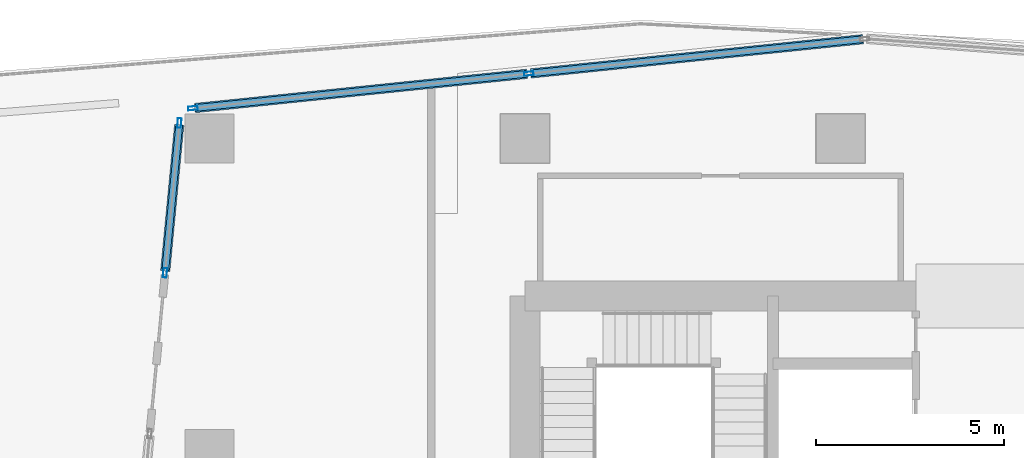
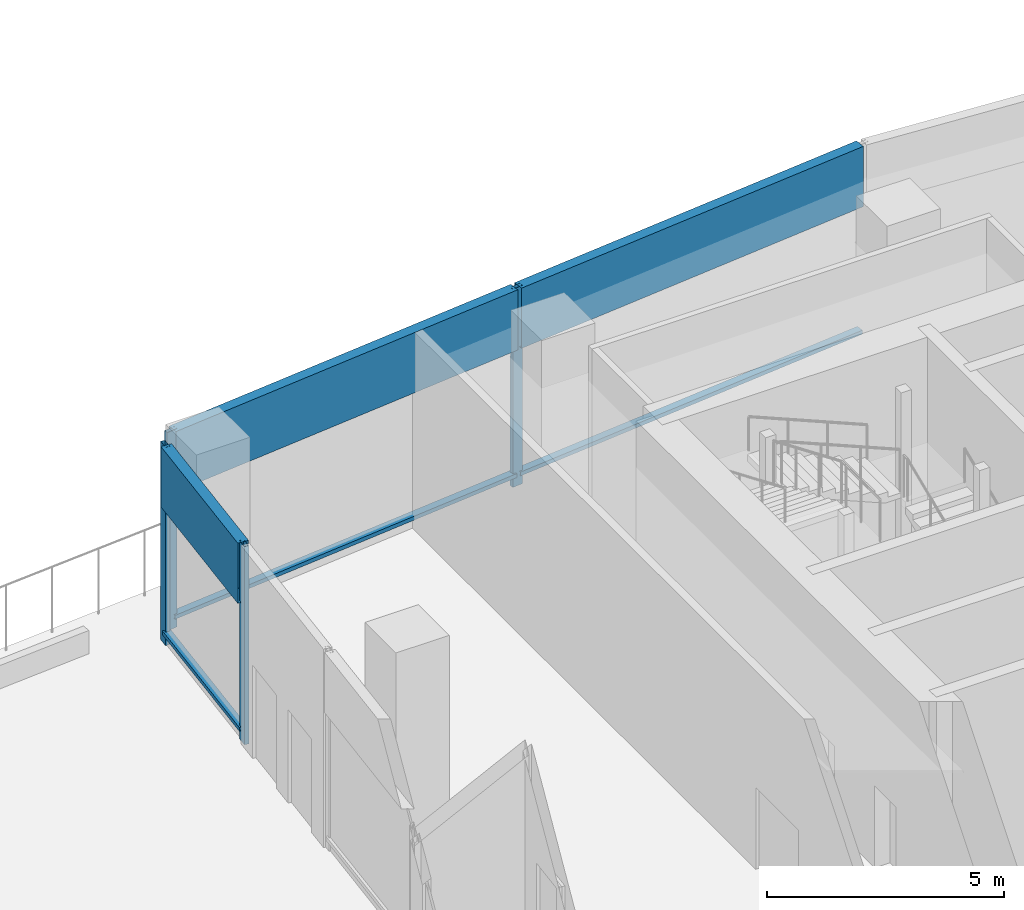
# One storey, part 8 of 22: 10 members, 2 elements without a shape of their own.
"""IFC4 building model written with IfcOpenShell, lengths in metres."""

from ifc_helpers import new_model, si_unit, direction, frame, origin, origin_2d, place, context, subcontext, project, spatial, hollow_rectangle, extrude, material, material_profile, profile_set, type_object, element, aggregate, save


model = new_model("IFC4")

# Units and contexts
model_context = context("Model", 3, precision=1e-05, world=origin(), true_north=direction((0.0, 1.0)))
body_context = subcontext(model_context, "Body", "Model", "MODEL_VIEW")
ifc_project = project(units=[si_unit("LENGTHUNIT", "METRE"), si_unit("AREAUNIT", "SQUARE_METRE"), si_unit("VOLUMEUNIT", "CUBIC_METRE"), si_unit("PLANEANGLEUNIT", "RADIAN"), si_unit("MASSUNIT", "GRAM", prefix="KILO")], contexts=[model_context])

# Site, building, storey
site_placement = place(None, origin())
site = spatial("IfcSite", under=ifc_project, at=site_placement, CompositionType="ELEMENT")
building_placement = place(site_placement, origin())
building = spatial("IfcBuilding", under=site, at=building_placement, Name="Rekha Terrace Tower", CompositionType="ELEMENT")
storey_placement = place(building_placement, frame((0.0, 0.0, 291.35009765625)))
storey = spatial("IfcBuildingStorey", under=building, at=storey_placement, Name="L74", CompositionType="ELEMENT", Elevation=291.35009765625)

# Curtain wall, members
ifc_material_1 = material(Name="Aluminium framing", Category="aluminium")
curtain_wall_type = type_object("IfcCurtainWallType", Name="CW6 observation glazing", PredefinedType="USERDEFINED", material=ifc_material_1)
curtain_wall_1_placement = place(storey_placement, origin())
curtain_wall_1 = element("IfcCurtainWall", 1, at=curtain_wall_1_placement, inside=storey, type_object=curtain_wall_type, Name="CW6 observation curtain wall", ObjectType="OBSERVATION CURTAIN WALL", PredefinedType="USERDEFINED")
ifc_material_2 = material(Name="Aluminium mullion section", Category="aluminium")
ifc_material_profile_1 = material_profile(ifc_material_2, hollow_rectangle(XDim=0.10009765625, YDim=0.25, WallThickness=0.00390625, at=origin_2d()), Name="AL RHS 100x250")
ifc_profile_set_1 = profile_set([ifc_material_profile_1], Name="Aluminium mullion section")
member_type_1 = type_object("IfcMemberType", Name="CW6 mullion RHS 100 x 250", PredefinedType="MULLION", material=ifc_profile_set_1)
member_1_placement = place(storey_placement, frame((25.300048828125, 52.122802734375, 0.0), z_axis=(0.0, 0.0, 1.0), x_axis=(0.102505243618, -0.994732464048, 0.0)))
member_1 = element("IfcMember", 2, at=member_1_placement, type_object=member_type_1, Name="CW6 mullion 2", PredefinedType="MULLION", context=body_context, shape_type="SweptSolid", body=[
    extrude(hollow_rectangle(XDim=0.10009765625, YDim=0.25, WallThickness=0.00390625, at=origin_2d()), origin(), (0.0, 0.0, 1.0), 5.099853515625),
])
member_2_placement = place(storey_placement, frame((16.359130859375, 51.201416015625, 0.0), z_axis=(0.0, 0.0, 1.0), x_axis=(0.102505243618, -0.994732464048, 0.0)))
member_2 = element("IfcMember", 3, at=member_2_placement, type_object=member_type_1, Name="CW6 mullion 3", PredefinedType="MULLION", context=body_context, shape_type="SweptSolid", body=[
    extrude(hollow_rectangle(XDim=0.10009765625, YDim=0.25, WallThickness=0.00390625, at=origin_2d()), origin(), (0.0, 0.0, 1.0), 5.099853515625),
])

curtain_wall_2_placement = place(storey_placement, origin())
curtain_wall_2 = element("IfcCurtainWall", 4, at=curtain_wall_2_placement, inside=storey, type_object=curtain_wall_type, Name="CW6 observation curtain wall", ObjectType="OBSERVATION CURTAIN WALL", PredefinedType="USERDEFINED")
member_3_placement = place(storey_placement, frame((15.9990234375, 50.807861328125, 0.0), z_axis=(0.0, 0.0, 1.0), x_axis=(0.99544492161, -0.095338387029, 0.0)))
member_3 = element("IfcMember", 5, at=member_3_placement, type_object=member_type_1, Name="CW6 mullion 1", PredefinedType="MULLION", context=body_context, shape_type="SweptSolid", body=[
    extrude(hollow_rectangle(XDim=0.10009765625, YDim=0.25, WallThickness=0.00390625, at=origin_2d()), origin(), (0.0, 0.0, 1.0), 5.099853515625),
])
member_4_placement = place(storey_placement, frame((15.616943359375, 46.819580078125, 0.0), z_axis=(0.0, 0.0, 1.0), x_axis=(0.99544492161, -0.095338387029, 0.0)))
member_4 = element("IfcMember", 6, at=member_4_placement, type_object=member_type_1, Name="CW6 mullion 2", PredefinedType="MULLION", context=body_context, shape_type="SweptSolid", body=[
    extrude(hollow_rectangle(XDim=0.10009765625, YDim=0.25, WallThickness=0.00390625, at=origin_2d()), origin(), (0.0, 0.0, 1.0), 5.099853515625),
])

# Member
ifc_material_3 = material(Name="Insulated aluminium spandrel box", Category="aluminium")
ifc_material_profile_2 = material_profile(ifc_material_3, hollow_rectangle(XDim=0.25, YDim=1.550048828125, WallThickness=0.0029296875, at=origin_2d()), Name="AL SPANDREL BOX 250x1550")
ifc_profile_set_2 = profile_set([ifc_material_profile_2], Name="Insulated aluminium spandrel box")
member_type_2 = type_object("IfcMemberType", Name="CW6 spandrel transom 250 x 1550", PredefinedType="USERDEFINED", material=ifc_profile_set_2)
member_5_placement = place(storey_placement, frame((34.19140625, 53.0390625, 4.324951171875), z_axis=(-0.994732142625, -0.10250836273, 0.0), x_axis=(0.10250836273, -0.994732142625, 0.0)))
member_5 = element("IfcMember", 7, at=member_5_placement, type_object=member_type_2, Name="CW6 spandrel transom 1", ObjectType="TRANSOM", PredefinedType="USERDEFINED", context=body_context, shape_type="SweptSolid", body=[
    extrude(hollow_rectangle(XDim=0.25, YDim=1.550048828125, WallThickness=0.0029296875, at=origin_2d()), origin(), (0.0, 0.0, 1.0), 8.888427734375),
])

member_6_placement = place(storey_placement, frame((25.25048828125, 52.11767578125, 4.324951171875), z_axis=(-0.994732142625, -0.10250836273, 0.0), x_axis=(0.10250836273, -0.994732142625, 0.0)))
member_6 = element("IfcMember", 8, at=member_6_placement, type_object=member_type_2, Name="CW6 spandrel transom 2", ObjectType="TRANSOM", PredefinedType="USERDEFINED", context=body_context, shape_type="SweptSolid", body=[
    extrude(hollow_rectangle(XDim=0.25, YDim=1.550048828125, WallThickness=0.0029296875, at=origin_2d()), origin(), (0.0, 0.0, 1.0), 8.888427734375),
])

member_7_placement = place(storey_placement, frame((15.994140625, 50.758056640625, 4.324951171875), z_axis=(-0.095307509703, -0.995447878392, 0.0), x_axis=(0.995447878392, -0.095307509703, 0.0)))
member_7 = element("IfcMember", 9, at=member_7_placement, type_object=member_type_2, Name="CW6 spandrel transom 1", ObjectType="TRANSOM", PredefinedType="USERDEFINED", context=body_context, shape_type="SweptSolid", body=[
    extrude(hollow_rectangle(XDim=0.25, YDim=1.550048828125, WallThickness=0.0029296875, at=origin_2d()), origin(), (0.0, 0.0, 1.0), 3.906494140625),
])

ifc_material_4 = material(Name="Aluminium transom section", Category="aluminium")
ifc_material_profile_3 = material_profile(ifc_material_4, hollow_rectangle(XDim=0.179931640625, YDim=0.10009765625, WallThickness=0.0029296875, at=origin_2d()), Name="AL RHS 180x100")
ifc_profile_set_3 = profile_set([ifc_material_profile_3], Name="Aluminium transom section")
member_type_3 = type_object("IfcMemberType", Name="CW6 transom RHS 100 x 180", PredefinedType="USERDEFINED", material=ifc_profile_set_3)
member_8_placement = place(storey_placement, frame((34.19140625, 53.0390625, 0.2998046875), z_axis=(-0.994732142625, -0.10250836273, 0.0), x_axis=(0.10250836273, -0.994732142625, 0.0)))
member_8 = element("IfcMember", 10, at=member_8_placement, type_object=member_type_3, Name="CW6 transom 1.2", ObjectType="TRANSOM", PredefinedType="USERDEFINED", context=body_context, shape_type="SweptSolid", body=[
    extrude(hollow_rectangle(XDim=0.179931640625, YDim=0.10009765625, WallThickness=0.0029296875, at=origin_2d()), origin(), (0.0, 0.0, 1.0), 8.888427734375),
])

member_9_placement = place(storey_placement, frame((25.25048828125, 52.11767578125, 0.2998046875), z_axis=(-0.994732142625, -0.10250836273, 0.0), x_axis=(0.10250836273, -0.994732142625, 0.0)))
member_9 = element("IfcMember", 11, at=member_9_placement, type_object=member_type_3, Name="CW6 transom 2.2", ObjectType="TRANSOM", PredefinedType="USERDEFINED", context=body_context, shape_type="SweptSolid", body=[
    extrude(hollow_rectangle(XDim=0.179931640625, YDim=0.10009765625, WallThickness=0.0029296875, at=origin_2d()), origin(), (0.0, 0.0, 1.0), 8.888427734375),
])

aggregate(curtain_wall_1, [member_1, member_2, member_8, member_5, member_9, member_6])

member_10_placement = place(storey_placement, frame((15.994140625, 50.758056640625, 0.2998046875), z_axis=(-0.095307509703, -0.995447878392, 0.0), x_axis=(0.995447878392, -0.095307509703, 0.0)))
member_10 = element("IfcMember", 12, at=member_10_placement, type_object=member_type_3, Name="CW6 transom 1.2", ObjectType="TRANSOM", PredefinedType="USERDEFINED", context=body_context, shape_type="SweptSolid", body=[
    extrude(hollow_rectangle(XDim=0.179931640625, YDim=0.10009765625, WallThickness=0.0029296875, at=origin_2d()), origin(), (0.0, 0.0, 1.0), 3.906494140625),
])

aggregate(curtain_wall_2, [member_3, member_4, member_10, member_7])

save(model, "model.ifc")
